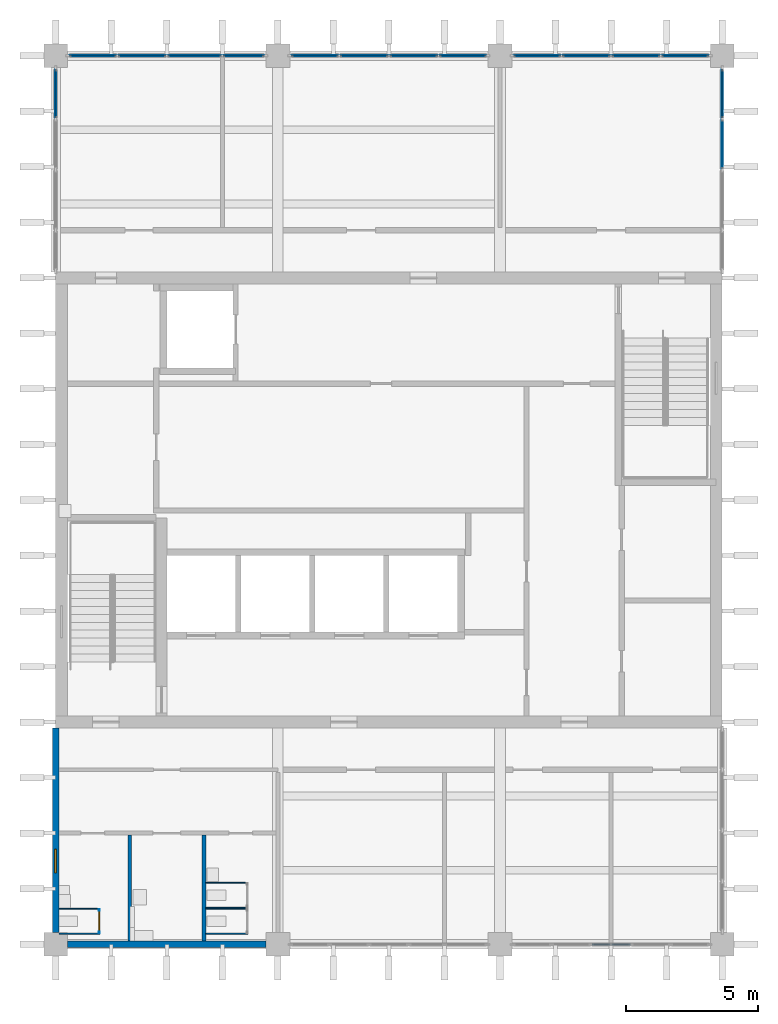
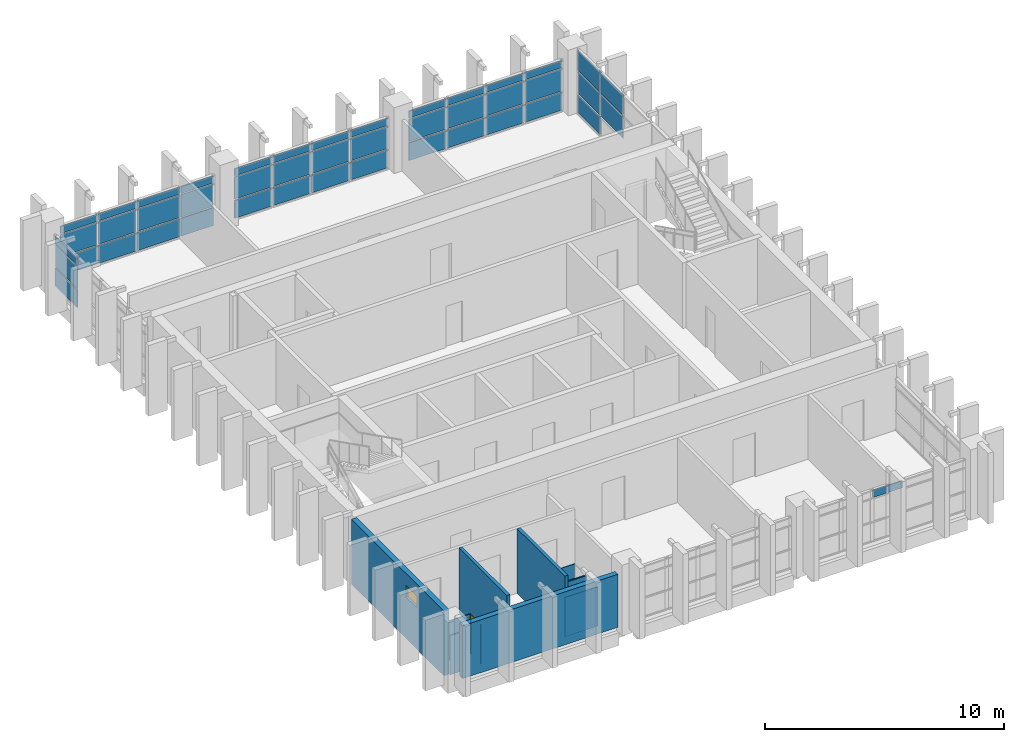
# One storey, part 6 of 11: 46 plates, 11 walls, 1 door, 1 window, 2 openings, 6 elements without a shape of their own.
"""IFC4 building model written with IfcOpenShell, lengths in metres."""

from ifc_helpers import new_model, si_unit, direction, frame, frame_2d, origin, origin_2d, place, context, subcontext, project, spatial, rectangle, extrude, material, layer, layer_set, type_object, element, fill, aggregate, save


model = new_model("IFC4")

# Units and contexts
model_context = context("Model", 3, precision=1e-05, world=origin(), true_north=direction((0.0, 1.0)))
body_context = subcontext(model_context, "Body", "Model", "MODEL_VIEW")
ifc_project = project(units=[si_unit("LENGTHUNIT", "METRE"), si_unit("AREAUNIT", "SQUARE_METRE"), si_unit("VOLUMEUNIT", "CUBIC_METRE"), si_unit("PLANEANGLEUNIT", "RADIAN"), si_unit("MASSUNIT", "GRAM", prefix="KILO")], contexts=[model_context])

# Site, building, storey
site_placement = place(None, origin())
site = spatial("IfcSite", under=ifc_project, at=site_placement, CompositionType="ELEMENT")
building_placement = place(site_placement, origin())
building = spatial("IfcBuilding", under=site, at=building_placement, Name="Rulbaag Community and Learning Centre", CompositionType="ELEMENT")
storey_placement = place(building_placement, frame((0.0, 0.0, 32.39990234375)))
storey = spatial("IfcBuildingStorey", under=building, at=storey_placement, Name="L08", CompositionType="ELEMENT", Elevation=32.39990234375)

# Curtain wall, plates
ifc_material_1 = material(Name="Aluminium", Category="aluminium")
ifc_layer_1 = layer(ifc_material_1, 0.14990234375)
ifc_layer_set_1 = layer_set([ifc_layer_1], Name="CW-S")
curtain_wall_type_1 = type_object("IfcCurtainWallType", Name="CW-S", PredefinedType="USERDEFINED", material=ifc_layer_set_1)
curtain_wall_1_placement = place(storey_placement, origin())
curtain_wall_1 = element("IfcCurtainWall", 1, at=curtain_wall_1_placement, inside=storey, type_object=curtain_wall_type_1, Name="GS-L08-02", ObjectType="UNITISED CURTAIN WALL", PredefinedType="USERDEFINED")
ifc_layer_2 = layer(ifc_material_1, 0.054931640625)
ifc_layer_set_2 = layer_set([ifc_layer_2], Name="CW-S-SPN")
plate_type_1 = type_object("IfcPlateType", Name="CW-S-SPN", PredefinedType="CURTAIN_PANEL", material=ifc_layer_set_2)
plate_1_placement = place(storey_placement, frame((163.425048828125, 84.0, 2.22998046875), z_axis=(0.0, 0.0, 1.0), x_axis=(1.0, 0.0, 0.0)))
plate_1 = element("IfcPlate", 2, at=plate_1_placement, type_object=plate_type_1, Name="GS spandrel panel", PredefinedType="CURTAIN_PANEL", context=body_context, shape_type="SweptSolid", body=[
    extrude(rectangle(XDim=0.68994140625, YDim=0.054931640625, at=origin_2d()), origin(), (0.0, 0.0, 1.0), 0.360107421875),
])
plate_2_placement = place(storey_placement, frame((164.175048828125, 84.0, 2.22998046875), z_axis=(0.0, 0.0, 1.0), x_axis=(1.0, 0.0, 0.0)))
plate_2 = element("IfcPlate", 3, at=plate_2_placement, type_object=plate_type_1, Name="GS spandrel panel", PredefinedType="CURTAIN_PANEL", context=body_context, shape_type="SweptSolid", body=[
    extrude(rectangle(XDim=0.68994140625, YDim=0.054931640625, at=origin_2d()), origin(), (0.0, 0.0, 1.0), 0.360107421875),
])
aggregate(curtain_wall_1, [plate_1, plate_2])

ifc_layer_3 = layer(ifc_material_1, 0.14990234375)
ifc_layer_set_3 = layer_set([ifc_layer_3], Name="CW-T")
curtain_wall_type_2 = type_object("IfcCurtainWallType", Name="CW-T", PredefinedType="USERDEFINED", material=ifc_layer_set_3)
curtain_wall_2_placement = place(storey_placement, origin())
curtain_wall_2 = element("IfcCurtainWall", 4, at=curtain_wall_2_placement, inside=storey, type_object=curtain_wall_type_2, Name="GT-L08-01", ObjectType="UNITISED CURTAIN WALL", PredefinedType="USERDEFINED")
ifc_layer_4 = layer(ifc_material_1, 0.06005859375)
ifc_layer_set_4 = layer_set([ifc_layer_4], Name="CW-T-SPN")
plate_type_2 = type_object("IfcPlateType", Name="CW-T-SPN", PredefinedType="CURTAIN_PANEL", material=ifc_layer_set_4)
plate_3_placement = place(storey_placement, frame((144.203857421875, 117.60009765625, 0.06494140625), z_axis=(0.0, 0.0, 1.0), x_axis=(1.0, 0.0, 0.0)))
plate_3 = element("IfcPlate", 5, at=plate_3_placement, type_object=plate_type_2, Name="GT spandrel panel", PredefinedType="CURTAIN_PANEL", context=body_context, shape_type="SweptSolid", body=[
    extrude(rectangle(XDim=1.777587890625, YDim=0.06005859375, at=origin_2d()), origin(), (0.0, 0.0, 1.0), 0.902587890625),
])
plate_4_placement = place(storey_placement, frame((144.203857421875, 117.60009765625, 2.232666015625), z_axis=(0.0, 0.0, 1.0), x_axis=(1.0, 0.0, 0.0)))
plate_4 = element("IfcPlate", 6, at=plate_4_placement, type_object=plate_type_2, Name="GT spandrel panel", PredefinedType="CURTAIN_PANEL", context=body_context, shape_type="SweptSolid", body=[
    extrude(rectangle(XDim=1.777587890625, YDim=0.06005859375, at=origin_2d()), origin(), (0.0, 0.0, 1.0), 0.3525390625),
])
plate_5_placement = place(storey_placement, frame((146.0625, 117.60009765625, 0.06494140625), z_axis=(0.0, 0.0, 1.0), x_axis=(1.0, 0.0, 0.0)))
plate_5 = element("IfcPlate", 7, at=plate_5_placement, type_object=plate_type_2, Name="GT spandrel panel", PredefinedType="CURTAIN_PANEL", context=body_context, shape_type="SweptSolid", body=[
    extrude(rectangle(XDim=1.81005859375, YDim=0.06005859375, at=origin_2d()), origin(), (0.0, 0.0, 1.0), 0.902587890625),
])
plate_6_placement = place(storey_placement, frame((146.0625, 117.60009765625, 2.232666015625), z_axis=(0.0, 0.0, 1.0), x_axis=(1.0, 0.0, 0.0)))
plate_6 = element("IfcPlate", 8, at=plate_6_placement, type_object=plate_type_2, Name="GT spandrel panel", PredefinedType="CURTAIN_PANEL", context=body_context, shape_type="SweptSolid", body=[
    extrude(rectangle(XDim=1.81005859375, YDim=0.06005859375, at=origin_2d()), origin(), (0.0, 0.0, 1.0), 0.3525390625),
])
plate_7_placement = place(storey_placement, frame((148.050048828125, 117.60009765625, 0.06494140625), z_axis=(0.0, 0.0, 1.0), x_axis=(1.0, 0.0, 0.0)))
plate_7 = element("IfcPlate", 9, at=plate_7_placement, type_object=plate_type_2, Name="GT spandrel panel", PredefinedType="CURTAIN_PANEL", context=body_context, shape_type="SweptSolid", body=[
    extrude(rectangle(XDim=2.034912109375, YDim=0.06005859375, at=origin_2d()), origin(), (0.0, 0.0, 1.0), 0.902587890625),
])
plate_8_placement = place(storey_placement, frame((148.050048828125, 117.60009765625, 2.232666015625), z_axis=(0.0, 0.0, 1.0), x_axis=(1.0, 0.0, 0.0)))
plate_8 = element("IfcPlate", 10, at=plate_8_placement, type_object=plate_type_2, Name="GT spandrel panel", PredefinedType="CURTAIN_PANEL", context=body_context, shape_type="SweptSolid", body=[
    extrude(rectangle(XDim=2.034912109375, YDim=0.06005859375, at=origin_2d()), origin(), (0.0, 0.0, 1.0), 0.3525390625),
])
plate_9_placement = place(storey_placement, frame((149.90869140625, 117.60009765625, 0.06494140625), z_axis=(0.0, 0.0, 1.0), x_axis=(1.0, 0.0, 0.0)))
plate_9 = element("IfcPlate", 11, at=plate_9_placement, type_object=plate_type_2, Name="GT spandrel panel", PredefinedType="CURTAIN_PANEL", context=body_context, shape_type="SweptSolid", body=[
    extrude(rectangle(XDim=1.552490234375, YDim=0.06005859375, at=origin_2d()), origin(), (0.0, 0.0, 1.0), 0.902587890625),
])
plate_10_placement = place(storey_placement, frame((149.90869140625, 117.60009765625, 2.232666015625), z_axis=(0.0, 0.0, 1.0), x_axis=(1.0, 0.0, 0.0)))
plate_10 = element("IfcPlate", 12, at=plate_10_placement, type_object=plate_type_2, Name="GT spandrel panel", PredefinedType="CURTAIN_PANEL", context=body_context, shape_type="SweptSolid", body=[
    extrude(rectangle(XDim=1.552490234375, YDim=0.06005859375, at=origin_2d()), origin(), (0.0, 0.0, 1.0), 0.3525390625),
])

curtain_wall_3_placement = place(storey_placement, origin())
curtain_wall_3 = element("IfcCurtainWall", 13, at=curtain_wall_3_placement, inside=storey, type_object=curtain_wall_type_2, Name="GT-L08-02", ObjectType="UNITISED CURTAIN WALL", PredefinedType="USERDEFINED")
plate_11_placement = place(storey_placement, frame((152.603759765625, 117.60009765625, 0.06494140625), z_axis=(0.0, 0.0, 1.0), x_axis=(1.0, 0.0, 0.0)))
plate_11 = element("IfcPlate", 14, at=plate_11_placement, type_object=plate_type_2, Name="GT spandrel panel", PredefinedType="CURTAIN_PANEL", context=body_context, shape_type="SweptSolid", body=[
    extrude(rectangle(XDim=1.777587890625, YDim=0.06005859375, at=origin_2d()), origin(), (0.0, 0.0, 1.0), 0.902587890625),
])
plate_12_placement = place(storey_placement, frame((152.603759765625, 117.60009765625, 2.232666015625), z_axis=(0.0, 0.0, 1.0), x_axis=(1.0, 0.0, 0.0)))
plate_12 = element("IfcPlate", 15, at=plate_12_placement, type_object=plate_type_2, Name="GT spandrel panel", PredefinedType="CURTAIN_PANEL", context=body_context, shape_type="SweptSolid", body=[
    extrude(rectangle(XDim=1.777587890625, YDim=0.06005859375, at=origin_2d()), origin(), (0.0, 0.0, 1.0), 0.3525390625),
])
plate_13_placement = place(storey_placement, frame((154.46240234375, 117.60009765625, 0.06494140625), z_axis=(0.0, 0.0, 1.0), x_axis=(1.0, 0.0, 0.0)))
plate_13 = element("IfcPlate", 16, at=plate_13_placement, type_object=plate_type_2, Name="GT spandrel panel", PredefinedType="CURTAIN_PANEL", context=body_context, shape_type="SweptSolid", body=[
    extrude(rectangle(XDim=1.81005859375, YDim=0.06005859375, at=origin_2d()), origin(), (0.0, 0.0, 1.0), 0.902587890625),
])
plate_14_placement = place(storey_placement, frame((154.46240234375, 117.60009765625, 2.232666015625), z_axis=(0.0, 0.0, 1.0), x_axis=(1.0, 0.0, 0.0)))
plate_14 = element("IfcPlate", 17, at=plate_14_placement, type_object=plate_type_2, Name="GT spandrel panel", PredefinedType="CURTAIN_PANEL", context=body_context, shape_type="SweptSolid", body=[
    extrude(rectangle(XDim=1.81005859375, YDim=0.06005859375, at=origin_2d()), origin(), (0.0, 0.0, 1.0), 0.3525390625),
])
plate_15_placement = place(storey_placement, frame((156.33740234375, 117.60009765625, 0.06494140625), z_axis=(0.0, 0.0, 1.0), x_axis=(1.0, 0.0, 0.0)))
plate_15 = element("IfcPlate", 18, at=plate_15_placement, type_object=plate_type_2, Name="GT spandrel panel", PredefinedType="CURTAIN_PANEL", context=body_context, shape_type="SweptSolid", body=[
    extrude(rectangle(XDim=1.81005859375, YDim=0.06005859375, at=origin_2d()), origin(), (0.0, 0.0, 1.0), 0.902587890625),
])
plate_16_placement = place(storey_placement, frame((156.33740234375, 117.60009765625, 2.232666015625), z_axis=(0.0, 0.0, 1.0), x_axis=(1.0, 0.0, 0.0)))
plate_16 = element("IfcPlate", 19, at=plate_16_placement, type_object=plate_type_2, Name="GT spandrel panel", PredefinedType="CURTAIN_PANEL", context=body_context, shape_type="SweptSolid", body=[
    extrude(rectangle(XDim=1.81005859375, YDim=0.06005859375, at=origin_2d()), origin(), (0.0, 0.0, 1.0), 0.3525390625),
])
plate_17_placement = place(storey_placement, frame((158.1962890625, 117.60009765625, 0.06494140625), z_axis=(0.0, 0.0, 1.0), x_axis=(1.0, 0.0, 0.0)))
plate_17 = element("IfcPlate", 20, at=plate_17_placement, type_object=plate_type_2, Name="GT spandrel panel", PredefinedType="CURTAIN_PANEL", context=body_context, shape_type="SweptSolid", body=[
    extrude(rectangle(XDim=1.777587890625, YDim=0.06005859375, at=origin_2d()), origin(), (0.0, 0.0, 1.0), 0.902587890625),
])
plate_18_placement = place(storey_placement, frame((158.1962890625, 117.60009765625, 2.232666015625), z_axis=(0.0, 0.0, 1.0), x_axis=(1.0, 0.0, 0.0)))
plate_18 = element("IfcPlate", 21, at=plate_18_placement, type_object=plate_type_2, Name="GT spandrel panel", PredefinedType="CURTAIN_PANEL", context=body_context, shape_type="SweptSolid", body=[
    extrude(rectangle(XDim=1.777587890625, YDim=0.06005859375, at=origin_2d()), origin(), (0.0, 0.0, 1.0), 0.3525390625),
])

curtain_wall_4_placement = place(storey_placement, origin())
curtain_wall_4 = element("IfcCurtainWall", 22, at=curtain_wall_4_placement, inside=storey, type_object=curtain_wall_type_2, Name="GT-L08-03", ObjectType="UNITISED CURTAIN WALL", PredefinedType="USERDEFINED")
plate_19_placement = place(storey_placement, frame((161.003662109375, 117.60009765625, 0.06494140625), z_axis=(0.0, 0.0, 1.0), x_axis=(1.0, 0.0, 0.0)))
plate_19 = element("IfcPlate", 23, at=plate_19_placement, type_object=plate_type_2, Name="GT spandrel panel", PredefinedType="CURTAIN_PANEL", context=body_context, shape_type="SweptSolid", body=[
    extrude(rectangle(XDim=1.777587890625, YDim=0.06005859375, at=origin_2d()), origin(), (0.0, 0.0, 1.0), 0.902587890625),
])
plate_20_placement = place(storey_placement, frame((161.003662109375, 117.60009765625, 2.232666015625), z_axis=(0.0, 0.0, 1.0), x_axis=(1.0, 0.0, 0.0)))
plate_20 = element("IfcPlate", 24, at=plate_20_placement, type_object=plate_type_2, Name="GT spandrel panel", PredefinedType="CURTAIN_PANEL", context=body_context, shape_type="SweptSolid", body=[
    extrude(rectangle(XDim=1.777587890625, YDim=0.06005859375, at=origin_2d()), origin(), (0.0, 0.0, 1.0), 0.3525390625),
])
plate_21_placement = place(storey_placement, frame((162.862548828125, 117.60009765625, 0.06494140625), z_axis=(0.0, 0.0, 1.0), x_axis=(1.0, 0.0, 0.0)))
plate_21 = element("IfcPlate", 25, at=plate_21_placement, type_object=plate_type_2, Name="GT spandrel panel", PredefinedType="CURTAIN_PANEL", context=body_context, shape_type="SweptSolid", body=[
    extrude(rectangle(XDim=1.81005859375, YDim=0.06005859375, at=origin_2d()), origin(), (0.0, 0.0, 1.0), 0.902587890625),
])
plate_22_placement = place(storey_placement, frame((162.862548828125, 117.60009765625, 2.232666015625), z_axis=(0.0, 0.0, 1.0), x_axis=(1.0, 0.0, 0.0)))
plate_22 = element("IfcPlate", 26, at=plate_22_placement, type_object=plate_type_2, Name="GT spandrel panel", PredefinedType="CURTAIN_PANEL", context=body_context, shape_type="SweptSolid", body=[
    extrude(rectangle(XDim=1.81005859375, YDim=0.06005859375, at=origin_2d()), origin(), (0.0, 0.0, 1.0), 0.3525390625),
])
plate_23_placement = place(storey_placement, frame((164.737548828125, 117.60009765625, 0.06494140625), z_axis=(0.0, 0.0, 1.0), x_axis=(1.0, 0.0, 0.0)))
plate_23 = element("IfcPlate", 27, at=plate_23_placement, type_object=plate_type_2, Name="GT spandrel panel", PredefinedType="CURTAIN_PANEL", context=body_context, shape_type="SweptSolid", body=[
    extrude(rectangle(XDim=1.81005859375, YDim=0.06005859375, at=origin_2d()), origin(), (0.0, 0.0, 1.0), 0.902587890625),
])
plate_24_placement = place(storey_placement, frame((164.737548828125, 117.60009765625, 2.232666015625), z_axis=(0.0, 0.0, 1.0), x_axis=(1.0, 0.0, 0.0)))
plate_24 = element("IfcPlate", 28, at=plate_24_placement, type_object=plate_type_2, Name="GT spandrel panel", PredefinedType="CURTAIN_PANEL", context=body_context, shape_type="SweptSolid", body=[
    extrude(rectangle(XDim=1.81005859375, YDim=0.06005859375, at=origin_2d()), origin(), (0.0, 0.0, 1.0), 0.3525390625),
])
plate_25_placement = place(storey_placement, frame((166.59619140625, 117.60009765625, 0.06494140625), z_axis=(0.0, 0.0, 1.0), x_axis=(1.0, 0.0, 0.0)))
plate_25 = element("IfcPlate", 29, at=plate_25_placement, type_object=plate_type_2, Name="GT spandrel panel", PredefinedType="CURTAIN_PANEL", context=body_context, shape_type="SweptSolid", body=[
    extrude(rectangle(XDim=1.777587890625, YDim=0.06005859375, at=origin_2d()), origin(), (0.0, 0.0, 1.0), 0.902587890625),
])
plate_26_placement = place(storey_placement, frame((166.59619140625, 117.60009765625, 2.232666015625), z_axis=(0.0, 0.0, 1.0), x_axis=(1.0, 0.0, 0.0)))
plate_26 = element("IfcPlate", 30, at=plate_26_placement, type_object=plate_type_2, Name="GT spandrel panel", PredefinedType="CURTAIN_PANEL", context=body_context, shape_type="SweptSolid", body=[
    extrude(rectangle(XDim=1.777587890625, YDim=0.06005859375, at=origin_2d()), origin(), (0.0, 0.0, 1.0), 0.3525390625),
])

curtain_wall_5_placement = place(storey_placement, origin())
curtain_wall_5 = element("IfcCurtainWall", 31, at=curtain_wall_5_placement, inside=storey, type_object=curtain_wall_type_2, Name="GT-L08-04", ObjectType="UNITISED CURTAIN WALL", PredefinedType="USERDEFINED")
plate_27_placement = place(storey_placement, frame((142.800048828125, 116.168212890625, 0.06494140625), z_axis=(0.0, 0.0, 1.0), x_axis=(0.0, 1.0, 0.0)))
plate_27 = element("IfcPlate", 32, at=plate_27_placement, type_object=plate_type_2, Name="GT spandrel panel", PredefinedType="CURTAIN_PANEL", context=body_context, shape_type="SweptSolid", body=[
    extrude(rectangle(XDim=1.833740234375, YDim=0.06005859375, at=origin_2d()), origin(), (0.0, 0.0, 1.0), 0.902587890625),
])
plate_28_placement = place(storey_placement, frame((142.800048828125, 116.168212890625, 2.232666015625), z_axis=(0.0, 0.0, 1.0), x_axis=(0.0, 1.0, 0.0)))
plate_28 = element("IfcPlate", 33, at=plate_28_placement, type_object=plate_type_2, Name="GT spandrel panel", PredefinedType="CURTAIN_PANEL", context=body_context, shape_type="SweptSolid", body=[
    extrude(rectangle(XDim=1.833740234375, YDim=0.06005859375, at=origin_2d()), origin(), (0.0, 0.0, 1.0), 0.3525390625),
])

curtain_wall_6_placement = place(storey_placement, origin())
curtain_wall_6 = element("IfcCurtainWall", 34, at=curtain_wall_6_placement, inside=storey, type_object=curtain_wall_type_2, Name="GT-L08-06", ObjectType="UNITISED CURTAIN WALL", PredefinedType="USERDEFINED")
plate_29_placement = place(storey_placement, frame((168.0, 114.253173828125, 2.232666015625), z_axis=(0.0, 0.0, 1.0), x_axis=(0.0, 1.0, 0.0)))
plate_29 = element("IfcPlate", 35, at=plate_29_placement, type_object=plate_type_2, Name="GT spandrel panel", PredefinedType="CURTAIN_PANEL", context=body_context, shape_type="SweptSolid", body=[
    extrude(rectangle(XDim=1.8662109375, YDim=0.06005859375, at=origin_2d()), origin(), (0.0, 0.0, 1.0), 1.00244140625),
])
plate_30_placement = place(storey_placement, frame((168.0, 116.168212890625, 0.06494140625), z_axis=(0.0, 0.0, 1.0), x_axis=(0.0, 1.0, 0.0)))
plate_30 = element("IfcPlate", 36, at=plate_30_placement, type_object=plate_type_2, Name="GT spandrel panel", PredefinedType="CURTAIN_PANEL", context=body_context, shape_type="SweptSolid", body=[
    extrude(rectangle(XDim=1.833740234375, YDim=0.06005859375, at=origin_2d()), origin(), (0.0, 0.0, 1.0), 0.902587890625),
])
plate_31_placement = place(storey_placement, frame((168.0, 116.168212890625, 2.232666015625), z_axis=(0.0, 0.0, 1.0), x_axis=(0.0, 1.0, 0.0)))
plate_31 = element("IfcPlate", 37, at=plate_31_placement, type_object=plate_type_2, Name="GT spandrel panel", PredefinedType="CURTAIN_PANEL", context=body_context, shape_type="SweptSolid", body=[
    extrude(rectangle(XDim=1.833740234375, YDim=0.06005859375, at=origin_2d()), origin(), (0.0, 0.0, 1.0), 1.00244140625),
])

# Plate
ifc_material_2 = material(Name="Glass", Category="glass")
ifc_layer_5 = layer(ifc_material_2, 0.028076171875)
ifc_layer_set_5 = layer_set([ifc_layer_5], Name="CW-T-VIS")
plate_type_3 = type_object("IfcPlateType", Name="CW-T-VIS", PredefinedType="CURTAIN_PANEL", material=ifc_layer_set_5)
plate_32_placement = place(storey_placement, frame((144.203857421875, 117.60009765625, 1.03271484375), z_axis=(0.0, 0.0, 1.0), x_axis=(1.0, 0.0, 0.0)))
plate_32 = element("IfcPlate", 38, at=plate_32_placement, type_object=plate_type_3, Name="GT vision panel", PredefinedType="CURTAIN_PANEL", context=body_context, shape_type="SweptSolid", body=[
    extrude(rectangle(XDim=1.777587890625, YDim=0.028076171875, at=origin_2d()), origin(), (0.0, 0.0, 1.0), 1.135009765625),
])

plate_33_placement = place(storey_placement, frame((146.0625, 117.60009765625, 1.03271484375), z_axis=(0.0, 0.0, 1.0), x_axis=(1.0, 0.0, 0.0)))
plate_33 = element("IfcPlate", 39, at=plate_33_placement, type_object=plate_type_3, Name="GT vision panel", PredefinedType="CURTAIN_PANEL", context=body_context, shape_type="SweptSolid", body=[
    extrude(rectangle(XDim=1.81005859375, YDim=0.028076171875, at=origin_2d()), origin(), (0.0, 0.0, 1.0), 1.135009765625),
])

plate_34_placement = place(storey_placement, frame((148.050048828125, 117.60009765625, 1.03271484375), z_axis=(0.0, 0.0, 1.0), x_axis=(1.0, 0.0, 0.0)))
plate_34 = element("IfcPlate", 40, at=plate_34_placement, type_object=plate_type_3, Name="GT vision panel", PredefinedType="CURTAIN_PANEL", context=body_context, shape_type="SweptSolid", body=[
    extrude(rectangle(XDim=2.034912109375, YDim=0.028076171875, at=origin_2d()), origin(), (0.0, 0.0, 1.0), 1.135009765625),
])

plate_35_placement = place(storey_placement, frame((149.90869140625, 117.60009765625, 1.03271484375), z_axis=(0.0, 0.0, 1.0), x_axis=(1.0, 0.0, 0.0)))
plate_35 = element("IfcPlate", 41, at=plate_35_placement, type_object=plate_type_3, Name="GT vision panel", PredefinedType="CURTAIN_PANEL", context=body_context, shape_type="SweptSolid", body=[
    extrude(rectangle(XDim=1.552490234375, YDim=0.028076171875, at=origin_2d()), origin(), (0.0, 0.0, 1.0), 1.135009765625),
])

aggregate(curtain_wall_2, [plate_3, plate_32, plate_4, plate_5, plate_33, plate_6, plate_7, plate_34, plate_8, plate_9, plate_35, plate_10])

plate_36_placement = place(storey_placement, frame((152.603759765625, 117.60009765625, 1.03271484375), z_axis=(0.0, 0.0, 1.0), x_axis=(1.0, 0.0, 0.0)))
plate_36 = element("IfcPlate", 42, at=plate_36_placement, type_object=plate_type_3, Name="GT vision panel", PredefinedType="CURTAIN_PANEL", context=body_context, shape_type="SweptSolid", body=[
    extrude(rectangle(XDim=1.777587890625, YDim=0.028076171875, at=origin_2d()), origin(), (0.0, 0.0, 1.0), 1.135009765625),
])

plate_37_placement = place(storey_placement, frame((154.46240234375, 117.60009765625, 1.03271484375), z_axis=(0.0, 0.0, 1.0), x_axis=(1.0, 0.0, 0.0)))
plate_37 = element("IfcPlate", 43, at=plate_37_placement, type_object=plate_type_3, Name="GT vision panel", PredefinedType="CURTAIN_PANEL", context=body_context, shape_type="SweptSolid", body=[
    extrude(rectangle(XDim=1.81005859375, YDim=0.028076171875, at=origin_2d()), origin(), (0.0, 0.0, 1.0), 1.135009765625),
])

plate_38_placement = place(storey_placement, frame((156.33740234375, 117.60009765625, 1.03271484375), z_axis=(0.0, 0.0, 1.0), x_axis=(1.0, 0.0, 0.0)))
plate_38 = element("IfcPlate", 44, at=plate_38_placement, type_object=plate_type_3, Name="GT vision panel", PredefinedType="CURTAIN_PANEL", context=body_context, shape_type="SweptSolid", body=[
    extrude(rectangle(XDim=1.81005859375, YDim=0.028076171875, at=origin_2d()), origin(), (0.0, 0.0, 1.0), 1.135009765625),
])

plate_39_placement = place(storey_placement, frame((158.1962890625, 117.60009765625, 1.03271484375), z_axis=(0.0, 0.0, 1.0), x_axis=(1.0, 0.0, 0.0)))
plate_39 = element("IfcPlate", 45, at=plate_39_placement, type_object=plate_type_3, Name="GT vision panel", PredefinedType="CURTAIN_PANEL", context=body_context, shape_type="SweptSolid", body=[
    extrude(rectangle(XDim=1.777587890625, YDim=0.028076171875, at=origin_2d()), origin(), (0.0, 0.0, 1.0), 1.135009765625),
])

aggregate(curtain_wall_3, [plate_11, plate_36, plate_12, plate_13, plate_37, plate_14, plate_15, plate_38, plate_16, plate_17, plate_39, plate_18])

plate_40_placement = place(storey_placement, frame((161.003662109375, 117.60009765625, 1.03271484375), z_axis=(0.0, 0.0, 1.0), x_axis=(1.0, 0.0, 0.0)))
plate_40 = element("IfcPlate", 46, at=plate_40_placement, type_object=plate_type_3, Name="GT vision panel", PredefinedType="CURTAIN_PANEL", context=body_context, shape_type="SweptSolid", body=[
    extrude(rectangle(XDim=1.777587890625, YDim=0.028076171875, at=origin_2d()), origin(), (0.0, 0.0, 1.0), 1.135009765625),
])

plate_41_placement = place(storey_placement, frame((162.862548828125, 117.60009765625, 1.03271484375), z_axis=(0.0, 0.0, 1.0), x_axis=(1.0, 0.0, 0.0)))
plate_41 = element("IfcPlate", 47, at=plate_41_placement, type_object=plate_type_3, Name="GT vision panel", PredefinedType="CURTAIN_PANEL", context=body_context, shape_type="SweptSolid", body=[
    extrude(rectangle(XDim=1.81005859375, YDim=0.028076171875, at=origin_2d()), origin(), (0.0, 0.0, 1.0), 1.135009765625),
])

plate_42_placement = place(storey_placement, frame((164.737548828125, 117.60009765625, 1.03271484375), z_axis=(0.0, 0.0, 1.0), x_axis=(1.0, 0.0, 0.0)))
plate_42 = element("IfcPlate", 48, at=plate_42_placement, type_object=plate_type_3, Name="GT vision panel", PredefinedType="CURTAIN_PANEL", context=body_context, shape_type="SweptSolid", body=[
    extrude(rectangle(XDim=1.81005859375, YDim=0.028076171875, at=origin_2d()), origin(), (0.0, 0.0, 1.0), 1.135009765625),
])

plate_43_placement = place(storey_placement, frame((166.59619140625, 117.60009765625, 1.03271484375), z_axis=(0.0, 0.0, 1.0), x_axis=(1.0, 0.0, 0.0)))
plate_43 = element("IfcPlate", 49, at=plate_43_placement, type_object=plate_type_3, Name="GT vision panel", PredefinedType="CURTAIN_PANEL", context=body_context, shape_type="SweptSolid", body=[
    extrude(rectangle(XDim=1.777587890625, YDim=0.028076171875, at=origin_2d()), origin(), (0.0, 0.0, 1.0), 1.135009765625),
])

aggregate(curtain_wall_4, [plate_19, plate_40, plate_20, plate_21, plate_41, plate_22, plate_23, plate_42, plate_24, plate_25, plate_43, plate_26])

plate_44_placement = place(storey_placement, frame((142.800048828125, 116.168212890625, 1.03271484375), z_axis=(0.0, 0.0, 1.0), x_axis=(0.0, 1.0, 0.0)))
plate_44 = element("IfcPlate", 50, at=plate_44_placement, type_object=plate_type_3, Name="GT vision panel", PredefinedType="CURTAIN_PANEL", context=body_context, shape_type="SweptSolid", body=[
    extrude(rectangle(XDim=1.833740234375, YDim=0.028076171875, at=origin_2d()), origin(), (0.0, 0.0, 1.0), 1.135009765625),
])

aggregate(curtain_wall_5, [plate_27, plate_44, plate_28])

plate_45_placement = place(storey_placement, frame((168.0, 114.253173828125, 1.03271484375), z_axis=(0.0, 0.0, 1.0), x_axis=(0.0, 1.0, 0.0)))
plate_45 = element("IfcPlate", 51, at=plate_45_placement, type_object=plate_type_3, Name="GT vision panel", PredefinedType="CURTAIN_PANEL", context=body_context, shape_type="SweptSolid", body=[
    extrude(rectangle(XDim=1.8662109375, YDim=0.028076171875, at=origin_2d()), origin(), (0.0, 0.0, 1.0), 1.135009765625),
])

plate_46_placement = place(storey_placement, frame((168.0, 116.168212890625, 1.03271484375), z_axis=(0.0, 0.0, 1.0), x_axis=(0.0, 1.0, 0.0)))
plate_46 = element("IfcPlate", 52, at=plate_46_placement, type_object=plate_type_3, Name="GT vision panel", PredefinedType="CURTAIN_PANEL", context=body_context, shape_type="SweptSolid", body=[
    extrude(rectangle(XDim=1.833740234375, YDim=0.028076171875, at=origin_2d()), origin(), (0.0, 0.0, 1.0), 1.135009765625),
])

aggregate(curtain_wall_6, [plate_45, plate_29, plate_30, plate_46, plate_31])

# Walls
ifc_material_3 = material(Name="High pressure laminate", Category="wood")
ifc_layer_6 = layer(ifc_material_3, 0.0400390625)
ifc_layer_set_6 = layer_set([ifc_layer_6], Name="CP-40")
wall_type_1 = type_object("IfcWallType", Name="CP-40", PredefinedType="PARTITIONING", material=ifc_layer_set_6)
wall_1_placement = place(storey_placement, frame((142.929931640625, 84.39990234375, 0.0), z_axis=(0.0, 0.0, 1.0), x_axis=(1.0, 0.0, 0.0)))
element("IfcWall", 53, at=wall_1_placement, inside=storey, type_object=wall_type_1, Name="Cubicle partition", PredefinedType="PARTITIONING", context=body_context, shape_type="SweptSolid", body=[
    extrude(rectangle(XDim=1.5400390625, YDim=0.0400390625, at=frame_2d((0.77001953125, 0.0))), origin(), (0.0, 0.0, 1.0), 2.0),
])
wall_2_placement = place(storey_placement, frame((142.925048828125, 85.340087890625, 0.0), z_axis=(0.0, 0.0, 1.0), x_axis=(1.0, 0.0, 0.0)))
element("IfcWall", 54, at=wall_2_placement, inside=storey, type_object=wall_type_1, Name="Cubicle partition", PredefinedType="PARTITIONING", context=body_context, shape_type="SweptSolid", body=[
    extrude(rectangle(XDim=1.544921875, YDim=0.0400390625, at=frame_2d((0.7724609375, 0.0))), origin(), (0.0, 0.0, 1.0), 2.0),
])

# Wall, opening, door
wall_3_placement = place(storey_placement, frame((144.449951171875, 84.419921875, 0.0), z_axis=(0.0, 0.0, 1.0), x_axis=(0.0, 1.0, 0.0)))
wall_3 = element("IfcWall", 55, at=wall_3_placement, inside=storey, type_object=wall_type_1, Name="Cubicle partition", PredefinedType="PARTITIONING", context=body_context, shape_type="SweptSolid", body=[
    extrude(rectangle(XDim=0.900146484375, YDim=0.0400390625, at=frame_2d((0.4501953125, 0.0))), origin(), (0.0, 0.0, 1.0), 2.0),
])
opening_1_placement = place(wall_3_placement, frame((0.050048828125, 0.0, 0.0)))
opening_1 = element("IfcOpeningElement", 56, at=opening_1_placement, cuts=wall_3, Name="Opening L08-D002", PredefinedType="OPENING", context=body_context, shape_type="SweptSolid", body=[
    extrude(rectangle(XDim=0.800048828125, YDim=2.0, at=frame_2d((0.39990234375, 1.0))), frame((0.0, 0.030029296875, 0.0), z_axis=(0.0, -1.0, 0.0), x_axis=(1.0, 0.0, 0.0)), (0.0, 0.0, 1.0), 0.06005859375),
])
door_type = type_object("IfcDoorType", Name="DC-80", OperationType="SINGLE_SWING_LEFT", PredefinedType="DOOR", material=ifc_material_3)
door_placement = place(opening_1_placement, origin())
door = element("IfcDoor", 57, at=door_placement, inside=storey, type_object=door_type, Name="Cubicle door", OperationType="SINGLE_SWING_LEFT", OverallHeight=2.0, OverallWidth=0.800048828125, PredefinedType="DOOR", context=body_context, shape_type="SweptSolid", body=[
    extrude(rectangle(XDim=0.800048828125, YDim=2.0, at=frame_2d((0.39990234375, 1.0))), frame((0.0, 0.019775390625, 0.0), z_axis=(0.0, -1.0, 0.0), x_axis=(1.0, 0.0, 0.0)), (0.0, 0.0, 1.0), 0.03955078125),
])
fill(opening_1, door)

# Walls
for number, where, z_axis, x_axis, name in (
    (58, (148.47509765625, 84.39990234375, 0.0), (0.0, 0.0, 1.0), (1.0, 0.0, 0.0), "Cubicle partition"),
    (59, (148.47509765625, 85.340087890625, 0.0), (0.0, 0.0, 1.0), (1.0, 0.0, 0.0), "Cubicle partition"),
    (60, (148.47509765625, 85.3798828125, 0.0), (0.0, 0.0, 1.0), (1.0, 0.0, 0.0), "Cubicle partition"),
    (61, (148.47509765625, 86.320068359375, 0.0), (0.0, 0.0, 1.0), (1.0, 0.0, 0.0), "Cubicle partition"),
):
    element("IfcWall", number, at=place(storey_placement, frame(where, z_axis=z_axis, x_axis=x_axis)), inside=storey, type_object=wall_type_1, Name=name, PredefinedType="PARTITIONING", context=body_context, shape_type="SweptSolid", body=[
        extrude(rectangle(XDim=1.594970703125, YDim=0.0400390625, at=frame_2d((0.79736328125, 0.0))), origin(), (0.0, 0.0, 1.0), 2.0),
    ])
ifc_material_4 = material(Name="Concrete M40", Category="concrete")
ifc_layer_7 = layer(ifc_material_4, 0.25)
ifc_layer_set_7 = layer_set([ifc_layer_7], Name="EW-CONC250")
wall_type_2 = type_object("IfcWallType", Name="EW-CONC250", PredefinedType="STANDARD", material=ifc_layer_set_7)
wall_4_placement = place(storey_placement, frame((143.25, 84.0, 0.0), z_axis=(0.0, 0.0, 1.0), x_axis=(1.0, 0.0, 0.0)))
element("IfcWall", 62, at=wall_4_placement, inside=storey, type_object=wall_type_2, Name="Board-marked concrete cladding wall BS", PredefinedType="STANDARD", context=body_context, shape_type="SweptSolid", body=[
    extrude(rectangle(XDim=7.5, YDim=0.25, at=frame_2d((3.75, 0.0))), origin(), (0.0, 0.0, 1.0), 2.7001953125),
])

# Wall, opening, window
wall_5_placement = place(storey_placement, frame((142.800048828125, 84.449951171875, 0.0), z_axis=(0.0, 0.0, 1.0), x_axis=(0.0, 1.0, 0.0)))
wall_5 = element("IfcWall", 63, at=wall_5_placement, inside=storey, type_object=wall_type_2, Name="Board-marked concrete cladding wall BW", PredefinedType="STANDARD", context=body_context, shape_type="SweptSolid", body=[
    extrude(rectangle(XDim=7.72509765625, YDim=0.25, at=frame_2d((3.862548828125, 0.0))), origin(), (0.0, 0.0, 1.0), 3.300048828125),
])
opening_2_placement = place(wall_5_placement, frame((2.25, 0.0, 2.10009765625)))
opening_2 = element("IfcOpeningElement", 64, at=opening_2_placement, cuts=wall_5, Name="Opening WN5", PredefinedType="OPENING", context=body_context, shape_type="SweptSolid", body=[
    extrude(rectangle(XDim=0.89990234375, YDim=0.60009765625, at=frame_2d((0.449951171875, 0.300048828125))), frame((0.0, 0.135009765625, 0.0), z_axis=(0.0, -1.0, 0.0), x_axis=(1.0, 0.0, 0.0)), (0.0, 0.0, 1.0), 0.27001953125),
])
window_type = type_object("IfcWindowType", Name="WK-09", PartitioningType="SINGLE_PANEL", PredefinedType="WINDOW", material=ifc_material_1)
window_placement = place(opening_2_placement, origin())
window = element("IfcWindow", 65, at=window_placement, inside=storey, type_object=window_type, Name="Window WN5", OverallHeight=0.60009765625, OverallWidth=0.89990234375, PartitioningType="SINGLE_PANEL", PredefinedType="WINDOW", context=body_context, shape_type="SweptSolid", body=[
    extrude(rectangle(XDim=0.89990234375, YDim=0.60009765625, at=frame_2d((0.449951171875, 0.300048828125))), frame((0.0, 0.030029296875, 0.0), z_axis=(0.0, -1.0, 0.0), x_axis=(1.0, 0.0, 0.0)), (0.0, 0.0, 1.0), 0.06005859375),
])
fill(opening_2, window)

# Walls
ifc_material_5 = material(Name="Concrete blockwork", Category="masonry")
ifc_layer_8 = layer(ifc_material_5, 0.14990234375)
ifc_layer_set_8 = layer_set([ifc_layer_8], Name="IP-150 PARTITION 150")
wall_type_3 = type_object("IfcWallType", Name="IP-150 PARTITION 150", PredefinedType="PARTITIONING", material=ifc_layer_set_8)
for number, where, z_axis, x_axis, name in (
    (66, (145.60009765625, 84.125, 0.0), (0.0, 0.0, 1.0), (0.0, 1.0, 0.0), "Partition L08 11"),
    (67, (148.39990234375, 84.125, 0.0), (0.0, 0.0, 1.0), (0.0, 1.0, 0.0), "Partition L08 14"),
):
    element("IfcWall", number, at=place(storey_placement, frame(where, z_axis=z_axis, x_axis=x_axis)), inside=storey, type_object=wall_type_3, Name=name, PredefinedType="PARTITIONING", context=body_context, shape_type="SweptSolid", body=[
        extrude(rectangle(XDim=4.0, YDim=0.14990234375, at=frame_2d((2.0, 0.0))), origin(), (0.0, 0.0, 1.0), 3.300048828125),
    ])

save(model, "model.ifc")
